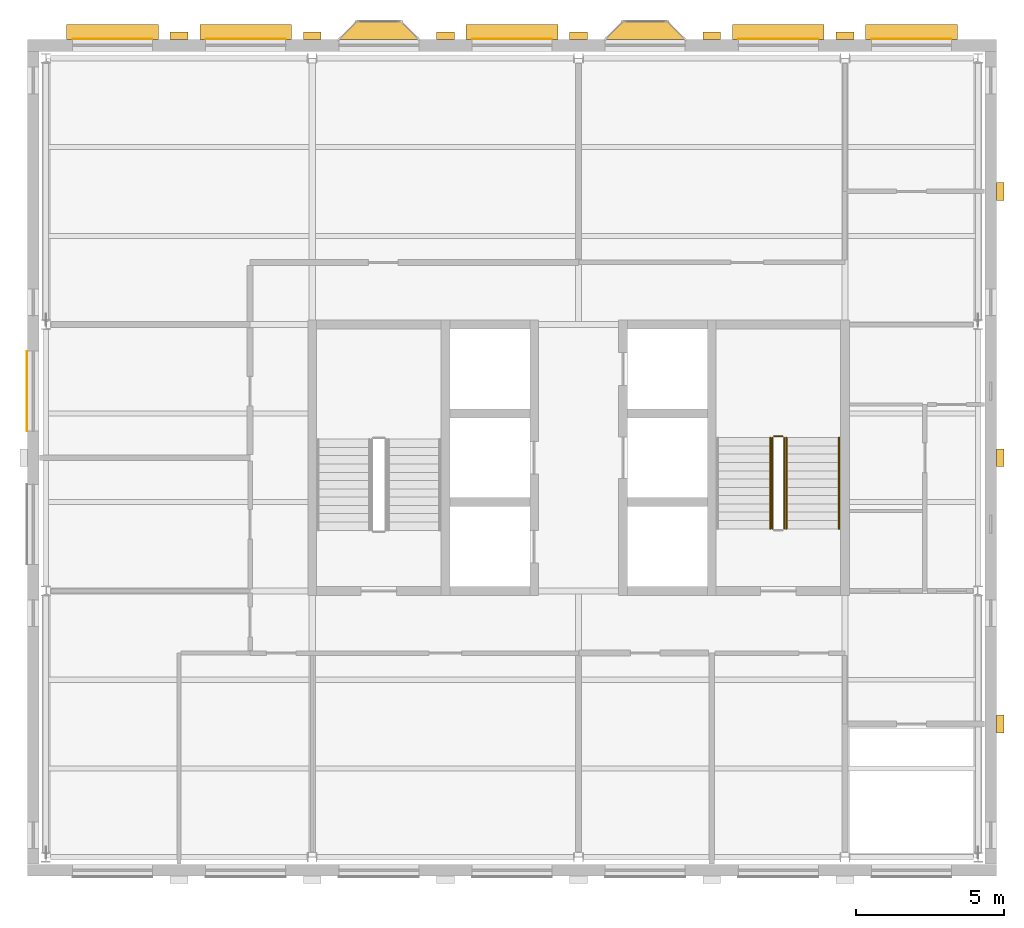
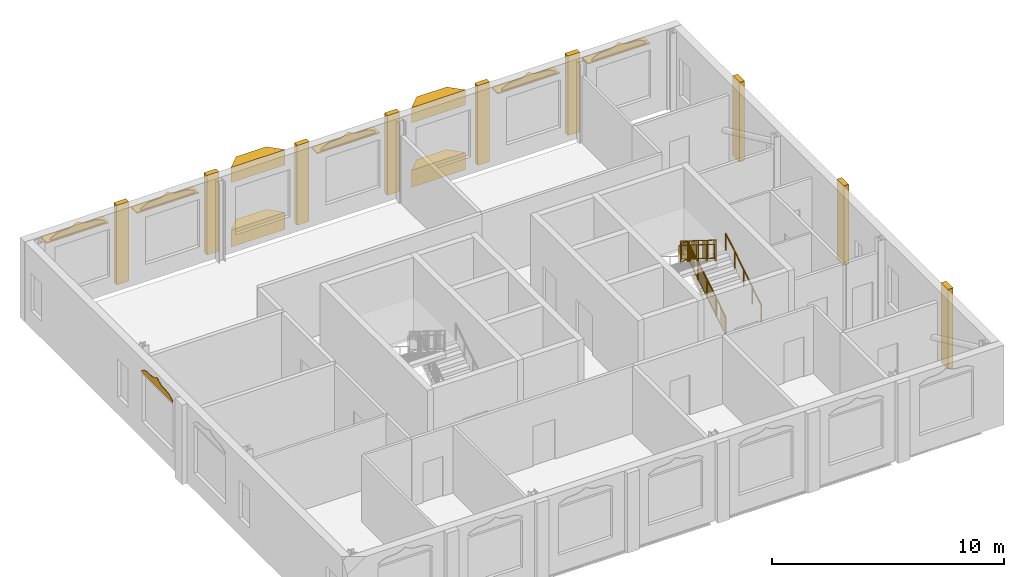
# One storey, part 9 of 9: 19 coverings, 6 railings, 5 shading devices.
"""IFC4 building model written with IfcOpenShell, lengths in metres."""

from ifc_helpers import new_model, si_unit, direction, frame, origin, origin_2d, place, context, subcontext, project, spatial, polyline, rectangle, circle, outline, extrude, material, layer, layer_set, type_object, element, save


model = new_model("IFC4")

# Units and contexts
model_context = context("Model", 3, precision=1e-05, world=origin(), true_north=direction((0.0, 1.0)))
body_context = subcontext(model_context, "Body", "Model", "MODEL_VIEW")
ifc_project = project(units=[si_unit("LENGTHUNIT", "METRE"), si_unit("AREAUNIT", "SQUARE_METRE"), si_unit("VOLUMEUNIT", "CUBIC_METRE"), si_unit("PLANEANGLEUNIT", "RADIAN"), si_unit("MASSUNIT", "GRAM", prefix="KILO")], contexts=[model_context])

# Site, building, storey
site_placement = place(None, origin())
site = spatial("IfcSite", under=ifc_project, at=site_placement, CompositionType="ELEMENT")
building_placement = place(site_placement, origin())
building = spatial("IfcBuilding", under=site, at=building_placement, Name="Hortulan Conservatory and Botanical Research Centre", CompositionType="ELEMENT")
storey_placement = place(building_placement, frame((0.0, 0.0, 44.39990234375)))
storey = spatial("IfcBuildingStorey", under=building, at=storey_placement, Name="L10", CompositionType="ELEMENT", Elevation=44.39990234375)

# Shading devices
ifc_material_1 = material(Name="Bronze-finished perforated aluminium", Category="aluminium")
ifc_layer_1 = layer(ifc_material_1, 0.06005859375)
ifc_layer_set_1 = layer_set([ifc_layer_1], Name="Catenary Hood 3100x500x60")
shading_device_type = type_object("IfcShadingDeviceType", Name="Catenary Hood 3100x500x60", PredefinedType="USERDEFINED", material=ifc_layer_set_1)
for number, where, z_axis, x_axis, name in (
    (1, (2.25, 27.885986328125, 3.41015625), (0.0, 0.0, 1.0), (1.0, 0.0, 0.0), "Catenary hood"),
    (2, (6.75, 27.885986328125, 3.41015625), (0.0, 0.0, 1.0), (1.0, 0.0, 0.0), "Catenary hood"),
    (3, (15.75, 27.885986328125, 3.41015625), (0.0, 0.0, 1.0), (1.0, 0.0, 0.0), "Catenary hood"),
    (4, (24.75, 27.885986328125, 3.41015625), (0.0, 0.0, 1.0), (1.0, 0.0, 0.0), "Catenary hood"),
    (5, (29.25, 27.885986328125, 3.41015625), (0.0, 0.0, 1.0), (1.0, 0.0, 0.0), "Catenary hood"),
):
    element("IfcShadingDevice", number, at=place(storey_placement, frame(where, z_axis=z_axis, x_axis=x_axis)), inside=storey, type_object=shading_device_type, Name=name, ObjectType="Catenary hood", PredefinedType="USERDEFINED", context=body_context, shape_type="SweptSolid", body=[
        extrude(rectangle(XDim=3.10009765625, YDim=0.5, at=origin_2d()), origin(), (0.0, 0.0, 1.0), 0.06005859375),
    ])

# Coverings
ifc_material_2 = material(Name="Faience cladding, cream glaze (non-combustible)", Category="ceramic")
ifc_layer_2 = layer(ifc_material_2, 0.030029296875)
ifc_layer_set_2 = layer_set([ifc_layer_2], Name="Faience Ogee Head Panel Cream 2700x500")
covering_type_1 = type_object("IfcCoveringType", Name="Faience Ogee Head Panel Cream 2700x500", PredefinedType="CLADDING", material=ifc_layer_set_2)
for number, where, z_axis, x_axis, name in (
    (6, (0.89990234375, 27.65087890625, 3.52001953125), (0.0, 0.0, 1.0), (1.0, 0.0, 0.0), "Ogee head panel"),
    (7, (23.39990234375, 27.65087890625, 3.52001953125), (0.0, 0.0, 1.0), (1.0, 0.0, 0.0), "Ogee head panel"),
    (8, (27.89990234375, 27.65087890625, 3.52001953125), (0.0, 0.0, 1.0), (1.0, 0.0, 0.0), "Ogee head panel"),
):
    element("IfcCovering", number, at=place(storey_placement, frame(where, z_axis=z_axis, x_axis=x_axis)), inside=storey, type_object=covering_type_1, Name=name, PredefinedType="CLADDING", context=body_context, shape_type="SweptSolid", body=[
        extrude(outline(polyline([(0.0, 0.0), (2.699951171875, 0.0), (2.699951171875, 0.080078125), (2.58740234375, 0.148681640625), (2.47509765625, 0.208251953125), (2.362548828125, 0.252197265625), (2.25, 0.2783203125), (2.137451171875, 0.28857421875), (2.02490234375, 0.2900390625), (1.91259765625, 0.29150390625), (1.800048828125, 0.3017578125), (1.6875, 0.327880859375), (1.574951171875, 0.371826171875), (1.46240234375, 0.431396484375), (1.35009765625, 0.5), (1.237548828125, 0.431396484375), (1.125, 0.371826171875), (1.012451171875, 0.327880859375), (0.89990234375, 0.3017578125), (0.78759765625, 0.29150390625), (0.675048828125, 0.2900390625), (0.5625, 0.28857421875), (0.449951171875, 0.2783203125), (0.33740234375, 0.252197265625), (0.22509765625, 0.208251953125), (0.112548828125, 0.148681640625), (0.0, 0.080078125), (0.0, 0.0)])), frame((0.0, 0.01513671875, 0.0), z_axis=(0.0, -1.0, 0.0), x_axis=(1.0, 0.0, 0.0)), (0.0, 0.0, 1.0), 0.030029296875),
    ])
ifc_material_3 = material(Name="Faience cladding, waratah crimson glaze (non-combustible)", Category="ceramic")
ifc_layer_3 = layer(ifc_material_3, 0.030029296875)
ifc_layer_set_3 = layer_set([ifc_layer_3], Name="Faience Ogee Head Panel Crimson 2700x500")
covering_type_2 = type_object("IfcCoveringType", Name="Faience Ogee Head Panel Crimson 2700x500", PredefinedType="CLADDING", material=ifc_layer_set_3)
covering_1_placement = place(storey_placement, frame((5.39990234375, 27.65087890625, 3.52001953125), z_axis=(0.0, 0.0, 1.0), x_axis=(1.0, 0.0, 0.0)))
element("IfcCovering", 9, at=covering_1_placement, inside=storey, type_object=covering_type_2, Name="Ogee head panel", PredefinedType="CLADDING", context=body_context, shape_type="SweptSolid", body=[
    extrude(outline(polyline([(0.0, 0.0), (2.699951171875, 0.0), (2.699951171875, 0.080078125), (2.58740234375, 0.148681640625), (2.47509765625, 0.208251953125), (2.362548828125, 0.252197265625), (2.25, 0.2783203125), (2.137451171875, 0.28857421875), (2.02490234375, 0.2900390625), (1.91259765625, 0.29150390625), (1.800048828125, 0.3017578125), (1.6875, 0.327880859375), (1.574951171875, 0.371826171875), (1.46240234375, 0.431396484375), (1.35009765625, 0.5), (1.237548828125, 0.431396484375), (1.125, 0.371826171875), (1.012451171875, 0.327880859375), (0.89990234375, 0.3017578125), (0.78759765625, 0.29150390625), (0.675048828125, 0.2900390625), (0.5625, 0.28857421875), (0.449951171875, 0.2783203125), (0.33740234375, 0.252197265625), (0.22509765625, 0.208251953125), (0.112548828125, 0.148681640625), (0.0, 0.080078125), (0.0, 0.0)])), frame((0.0, 0.01513671875, 0.0), z_axis=(0.0, -1.0, 0.0), x_axis=(1.0, 0.0, 0.0)), (0.0, 0.0, 1.0), 0.030029296875),
])
ifc_material_4 = material(Name="Faience cladding, harbour teal glaze (non-combustible)", Category="ceramic")
ifc_layer_4 = layer(ifc_material_4, 0.030029296875)
ifc_layer_set_4 = layer_set([ifc_layer_4], Name="Faience Ogee Head Panel Teal 2700x500")
covering_type_3 = type_object("IfcCoveringType", Name="Faience Ogee Head Panel Teal 2700x500", PredefinedType="CLADDING", material=ifc_layer_set_4)
for number, where, z_axis, x_axis, name in (
    (10, (-0.639892578125, 14.39990234375, 3.52001953125), (0.0, 0.0, 1.0), (0.0, 1.0, 0.0), "Ogee head panel"),
    (11, (14.39990234375, 27.65087890625, 3.52001953125), (0.0, 0.0, 1.0), (1.0, 0.0, 0.0), "Ogee head panel"),
):
    element("IfcCovering", number, at=place(storey_placement, frame(where, z_axis=z_axis, x_axis=x_axis)), inside=storey, type_object=covering_type_3, Name=name, PredefinedType="CLADDING", context=body_context, shape_type="SweptSolid", body=[
        extrude(outline(polyline([(0.0, 0.0), (2.699951171875, 0.0), (2.699951171875, 0.080078125), (2.58740234375, 0.148681640625), (2.47509765625, 0.208251953125), (2.362548828125, 0.252197265625), (2.25, 0.2783203125), (2.137451171875, 0.28857421875), (2.02490234375, 0.2900390625), (1.91259765625, 0.29150390625), (1.800048828125, 0.3017578125), (1.6875, 0.327880859375), (1.574951171875, 0.371826171875), (1.46240234375, 0.431396484375), (1.35009765625, 0.5), (1.237548828125, 0.431396484375), (1.125, 0.371826171875), (1.012451171875, 0.327880859375), (0.89990234375, 0.3017578125), (0.78759765625, 0.29150390625), (0.675048828125, 0.2900390625), (0.5625, 0.28857421875), (0.449951171875, 0.2783203125), (0.33740234375, 0.252197265625), (0.22509765625, 0.208251953125), (0.112548828125, 0.148681640625), (0.0, 0.080078125), (0.0, 0.0)])), frame((0.0, 0.01513671875, 0.0), z_axis=(0.0, -1.0, 0.0), x_axis=(1.0, 0.0, 0.0)), (0.0, 0.0, 1.0), 0.030029296875),
    ])
ifc_material_5 = material(Name="Faience-faced brickwork masonry", Category="masonry")
covering_type_4 = type_object("IfcCoveringType", Name="Faience Oriel Base", PredefinedType="CLADDING", material=ifc_material_5)
covering_2_placement = place(storey_placement, origin())
element("IfcCovering", 12, at=covering_2_placement, inside=storey, type_object=covering_type_4, Name="Oriel base", PredefinedType="CLADDING", context=body_context, shape_type="SweptSolid", body=[
    extrude(outline(polyline([(9.89990234375, 27.635986328125), (10.5, 28.236083984375), (12.0, 28.236083984375), (12.60009765625, 27.635986328125), (9.89990234375, 27.635986328125)])), origin(), (0.0, 0.0, 1.0), 0.900146484375),
])
covering_3_placement = place(storey_placement, origin())
element("IfcCovering", 13, at=covering_3_placement, inside=storey, type_object=covering_type_4, Name="Oriel base", PredefinedType="CLADDING", context=body_context, shape_type="SweptSolid", body=[
    extrude(outline(polyline([(18.89990234375, 27.635986328125), (19.5, 28.236083984375), (21.0, 28.236083984375), (21.60009765625, 27.635986328125), (18.89990234375, 27.635986328125)])), origin(), (0.0, 0.0, 1.0), 0.900146484375),
])
covering_type_5 = type_object("IfcCoveringType", Name="Faience Oriel Frieze", PredefinedType="CLADDING", material=ifc_material_5)
covering_4_placement = place(storey_placement, frame((0.0, 0.0, 3.400146484375)))
element("IfcCovering", 14, at=covering_4_placement, inside=storey, type_object=covering_type_5, Name="Oriel frieze", PredefinedType="CLADDING", context=body_context, shape_type="SweptSolid", body=[
    extrude(outline(polyline([(9.89990234375, 27.635986328125), (10.5, 28.236083984375), (12.0, 28.236083984375), (12.60009765625, 27.635986328125), (9.89990234375, 27.635986328125)])), origin(), (0.0, 0.0, 1.0), 0.800048828125),
])
covering_5_placement = place(storey_placement, frame((0.0, 0.0, 3.400146484375)))
element("IfcCovering", 15, at=covering_5_placement, inside=storey, type_object=covering_type_5, Name="Oriel frieze", PredefinedType="CLADDING", context=body_context, shape_type="SweptSolid", body=[
    extrude(outline(polyline([(18.89990234375, 27.635986328125), (19.5, 28.236083984375), (21.0, 28.236083984375), (21.60009765625, 27.635986328125), (18.89990234375, 27.635986328125)])), origin(), (0.0, 0.0, 1.0), 0.800048828125),
])
ifc_layer_5 = layer(ifc_material_2, 0.25)
ifc_layer_set_5 = layer_set([ifc_layer_5], Name="Faience Pilaster 600x250")
covering_type_6 = type_object("IfcCoveringType", Name="Faience Pilaster 600x250", PredefinedType="CLADDING", material=ifc_layer_set_5)
for number, where, z_axis, x_axis, name in (
    (16, (4.5, 27.760986328125, 0.0), (0.0, 0.0, 1.0), (1.0, 0.0, 0.0), "Pier"),
    (17, (9.0, 27.760986328125, 0.0), (0.0, 0.0, 1.0), (1.0, 0.0, 0.0), "Pier"),
    (18, (13.5, 27.760986328125, 0.0), (0.0, 0.0, 1.0), (1.0, 0.0, 0.0), "Pier"),
    (19, (18.0, 27.760986328125, 0.0), (0.0, 0.0, 1.0), (1.0, 0.0, 0.0), "Pier"),
    (20, (22.5, 27.760986328125, 0.0), (0.0, 0.0, 1.0), (1.0, 0.0, 0.0), "Pier"),
    (21, (27.0, 27.760986328125, 0.0), (0.0, 0.0, 1.0), (1.0, 0.0, 0.0), "Pier"),
    (22, (32.25, 4.5, 0.0), (0.0, 0.0, 1.0), (0.0, 1.0, 0.0), "Pier"),
    (23, (32.25, 13.5, 0.0), (0.0, 0.0, 1.0), (0.0, 1.0, 0.0), "Pier"),
    (24, (32.25, 22.5, 0.0), (0.0, 0.0, 1.0), (0.0, 1.0, 0.0), "Pier"),
):
    element("IfcCovering", number, at=place(storey_placement, frame(where, z_axis=z_axis, x_axis=x_axis)), inside=storey, type_object=covering_type_6, Name=name, PredefinedType="CLADDING", context=body_context, shape_type="SweptSolid", body=[
        extrude(rectangle(XDim=0.60009765625, YDim=0.25, at=origin_2d()), origin(), (0.0, 0.0, 1.0), 4.199951171875),
    ])

# Railings
ifc_material_6 = material(Name="Steel balustrade, bronze-charcoal paint", Category="steel")
railing_type_1 = type_object("IfcRailingType", Name="Stair Guard 1100", PredefinedType="GUARDRAIL", material=ifc_material_6)
railing_1_placement = place(storey_placement, frame((24.949951171875, 11.10009765625, 0.175048828125)))
element("IfcRailing", 25, at=railing_1_placement, inside=storey, type_object=railing_type_1, Name="Guard T2 L10 stair 1", PredefinedType="GUARDRAIL", context=body_context, shape_type="SweptSolid", body=[
    extrude(circle(Radius=0.02392578125, at=origin_2d()), frame((0.0, 0.0, 1.076171875), z_axis=(0.0, 0.847979421464, 0.530029150871), x_axis=(-1.0, 0.0, 0.0)), (0.0, 0.0, 1.0), 3.632080078125),
    extrude(circle(Radius=0.02392578125, at=origin_2d()), frame((0.0, 0.0, 0.1240234375), z_axis=(0.0, 0.847979421464, 0.530029150871), x_axis=(-1.0, 0.0, 0.0)), (0.0, 0.0, 1.0), 3.632080078125),
    extrude(circle(Radius=0.008056640625, at=origin_2d()), frame((0.0, 0.090576171875, 0.204833984375)), (0.0, 0.0, 1.0), 0.90380859375),
    extrude(circle(Radius=0.008056640625, at=origin_2d()), frame((0.0, 0.18115234375, 0.261474609375)), (0.0, 0.0, 1.0), 0.90380859375),
    extrude(circle(Radius=0.008056640625, at=origin_2d()), frame((0.0, 0.271728515625, 0.318115234375)), (0.0, 0.0, 1.0), 0.90380859375),
    extrude(circle(Radius=0.008056640625, at=origin_2d()), frame((0.0, 0.3623046875, 0.374755859375)), (0.0, 0.0, 1.0), 0.90380859375),
    extrude(circle(Radius=0.008056640625, at=origin_2d()), frame((0.0, 0.452880859375, 0.431396484375)), (0.0, 0.0, 1.0), 0.90380859375),
    extrude(circle(Radius=0.008056640625, at=origin_2d()), frame((0.0, 0.54345703125, 0.48779296875)), (0.0, 0.0, 1.0), 0.90380859375),
    extrude(circle(Radius=0.008056640625, at=origin_2d()), frame((0.0, 0.634033203125, 0.54443359375)), (0.0, 0.0, 1.0), 0.90380859375),
    extrude(circle(Radius=0.008056640625, at=origin_2d()), frame((0.0, 0.724609375, 0.60107421875)), (0.0, 0.0, 1.0), 0.90380859375),
    extrude(circle(Radius=0.008056640625, at=origin_2d()), frame((0.0, 0.815185546875, 0.65771484375)), (0.0, 0.0, 1.0), 0.90380859375),
    extrude(circle(Radius=0.008056640625, at=origin_2d()), frame((0.0, 0.90576171875, 0.71435546875)), (0.0, 0.0, 1.0), 0.90380859375),
    extrude(circle(Radius=0.008056640625, at=origin_2d()), frame((0.0, 0.996337890625, 0.77099609375)), (0.0, 0.0, 1.0), 0.90380859375),
    extrude(circle(Radius=0.008056640625, at=origin_2d()), frame((0.0, 1.0869140625, 0.82763671875)), (0.0, 0.0, 1.0), 0.90380859375),
    extrude(circle(Radius=0.008056640625, at=origin_2d()), frame((0.0, 1.177490234375, 0.88427734375)), (0.0, 0.0, 1.0), 0.90380859375),
    extrude(circle(Radius=0.008056640625, at=origin_2d()), frame((0.0, 1.26806640625, 0.94091796875)), (0.0, 0.0, 1.0), 0.90380859375),
    extrude(circle(Radius=0.008056640625, at=origin_2d()), frame((0.0, 1.358642578125, 0.99755859375)), (0.0, 0.0, 1.0), 0.90380859375),
    extrude(circle(Radius=0.008056640625, at=origin_2d()), frame((0.0, 1.44921875, 1.05419921875)), (0.0, 0.0, 1.0), 0.90380859375),
    extrude(circle(Radius=0.008056640625, at=origin_2d()), frame((0.0, 1.5400390625, 1.11083984375)), (0.0, 0.0, 1.0), 0.90380859375),
    extrude(circle(Radius=0.008056640625, at=origin_2d()), frame((0.0, 1.630615234375, 1.167236328125)), (0.0, 0.0, 1.0), 0.90380859375),
    extrude(circle(Radius=0.008056640625, at=origin_2d()), frame((0.0, 1.72119140625, 1.223876953125)), (0.0, 0.0, 1.0), 0.90380859375),
    extrude(circle(Radius=0.008056640625, at=origin_2d()), frame((0.0, 1.811767578125, 1.280517578125)), (0.0, 0.0, 1.0), 0.90380859375),
    extrude(circle(Radius=0.008056640625, at=origin_2d()), frame((0.0, 1.90234375, 1.337158203125)), (0.0, 0.0, 1.0), 0.90380859375),
    extrude(circle(Radius=0.008056640625, at=origin_2d()), frame((0.0, 1.992919921875, 1.393798828125)), (0.0, 0.0, 1.0), 0.90380859375),
    extrude(circle(Radius=0.008056640625, at=origin_2d()), frame((0.0, 2.08349609375, 1.450439453125)), (0.0, 0.0, 1.0), 0.90380859375),
    extrude(circle(Radius=0.008056640625, at=origin_2d()), frame((0.0, 2.174072265625, 1.507080078125)), (0.0, 0.0, 1.0), 0.90380859375),
    extrude(circle(Radius=0.008056640625, at=origin_2d()), frame((0.0, 2.2646484375, 1.563720703125)), (0.0, 0.0, 1.0), 0.90380859375),
    extrude(circle(Radius=0.008056640625, at=origin_2d()), frame((0.0, 2.355224609375, 1.620361328125)), (0.0, 0.0, 1.0), 0.90380859375),
    extrude(circle(Radius=0.008056640625, at=origin_2d()), frame((0.0, 2.44580078125, 1.677001953125)), (0.0, 0.0, 1.0), 0.90380859375),
    extrude(circle(Radius=0.008056640625, at=origin_2d()), frame((0.0, 2.536376953125, 1.733642578125)), (0.0, 0.0, 1.0), 0.90380859375),
    extrude(circle(Radius=0.008056640625, at=origin_2d()), frame((0.0, 2.626953125, 1.7900390625)), (0.0, 0.0, 1.0), 0.90380859375),
    extrude(circle(Radius=0.008056640625, at=origin_2d()), frame((0.0, 2.717529296875, 1.8466796875)), (0.0, 0.0, 1.0), 0.90380859375),
    extrude(circle(Radius=0.008056640625, at=origin_2d()), frame((0.0, 2.80810546875, 1.9033203125)), (0.0, 0.0, 1.0), 0.90380859375),
    extrude(circle(Radius=0.008056640625, at=origin_2d()), frame((0.0, 2.898681640625, 1.9599609375)), (0.0, 0.0, 1.0), 0.90380859375),
    extrude(circle(Radius=0.008056640625, at=origin_2d()), frame((0.0, 2.9892578125, 2.0166015625)), (0.0, 0.0, 1.0), 0.90380859375),
    extrude(circle(Radius=0.02099609375, at=origin_2d()), origin(), (0.0, 0.0, 1.0), 1.052001953125),
    extrude(circle(Radius=0.02099609375, at=origin_2d()), frame((0.0, 0.77001953125, 0.481201171875)), (0.0, 0.0, 1.0), 1.052001953125),
    extrude(circle(Radius=0.02099609375, at=origin_2d()), frame((0.0, 1.5400390625, 0.96240234375)), (0.0, 0.0, 1.0), 1.052001953125),
    extrude(circle(Radius=0.02099609375, at=origin_2d()), frame((0.0, 2.309814453125, 1.44384765625)), (0.0, 0.0, 1.0), 1.052001953125),
    extrude(circle(Radius=0.02099609375, at=origin_2d()), frame((0.0, 3.079833984375, 1.925048828125)), (0.0, 0.0, 1.0), 1.052001953125),
])
railing_2_placement = place(storey_placement, frame((24.89990234375, 14.22998046875, 2.10009765625)))
element("IfcRailing", 26, at=railing_2_placement, inside=storey, type_object=railing_type_1, Name="Guard T2 L10 stair 2", PredefinedType="GUARDRAIL", context=body_context, shape_type="SweptSolid", body=[
    extrude(circle(Radius=0.02392578125, at=origin_2d()), frame((0.0, 0.0, 1.076171875), z_axis=(-1.0, 0.0, 0.0), x_axis=(0.0, -1.0, 0.0)), (0.0, 0.0, 1.0), 0.2998046875),
    extrude(circle(Radius=0.02392578125, at=origin_2d()), frame((0.0, 0.0, 0.1240234375), z_axis=(-1.0, 0.0, 0.0), x_axis=(0.0, -1.0, 0.0)), (0.0, 0.0, 1.0), 0.2998046875),
    extrude(circle(Radius=0.008056640625, at=origin_2d()), frame((-0.099853515625, 0.0, 0.148193359375)), (0.0, 0.0, 1.0), 0.90380859375),
    extrude(circle(Radius=0.008056640625, at=origin_2d()), frame((-0.199951171875, 0.0, 0.148193359375)), (0.0, 0.0, 1.0), 0.90380859375),
    extrude(circle(Radius=0.02099609375, at=origin_2d()), origin(), (0.0, 0.0, 1.0), 1.052001953125),
    extrude(circle(Radius=0.02099609375, at=origin_2d()), frame((-0.2998046875, 0.0, 0.0)), (0.0, 0.0, 1.0), 1.052001953125),
])
railing_3_placement = place(storey_placement, frame((24.550048828125, 14.179931640625, 2.275146484375)))
element("IfcRailing", 27, at=railing_3_placement, inside=storey, type_object=railing_type_1, Name="Guard T2 L10 stair 3", PredefinedType="GUARDRAIL", context=body_context, shape_type="SweptSolid", body=[
    extrude(circle(Radius=0.02392578125, at=origin_2d()), frame((0.0, 0.0, 1.076171875), z_axis=(0.0, -0.847979421464, 0.530029150871), x_axis=(1.0, 0.0, 0.0)), (0.0, 0.0, 1.0), 3.632080078125),
    extrude(circle(Radius=0.02392578125, at=origin_2d()), frame((0.0, 0.0, 0.1240234375), z_axis=(0.0, -0.847979421464, 0.530029150871), x_axis=(1.0, 0.0, 0.0)), (0.0, 0.0, 1.0), 3.632080078125),
    extrude(circle(Radius=0.008056640625, at=origin_2d()), frame((0.0, -0.090576171875, 0.204833984375)), (0.0, 0.0, 1.0), 0.90380859375),
    extrude(circle(Radius=0.008056640625, at=origin_2d()), frame((0.0, -0.18115234375, 0.261474609375)), (0.0, 0.0, 1.0), 0.90380859375),
    extrude(circle(Radius=0.008056640625, at=origin_2d()), frame((0.0, -0.271728515625, 0.318115234375)), (0.0, 0.0, 1.0), 0.90380859375),
    extrude(circle(Radius=0.008056640625, at=origin_2d()), frame((0.0, -0.3623046875, 0.374755859375)), (0.0, 0.0, 1.0), 0.90380859375),
    extrude(circle(Radius=0.008056640625, at=origin_2d()), frame((0.0, -0.452880859375, 0.431396484375)), (0.0, 0.0, 1.0), 0.90380859375),
    extrude(circle(Radius=0.008056640625, at=origin_2d()), frame((0.0, -0.54345703125, 0.48779296875)), (0.0, 0.0, 1.0), 0.90380859375),
    extrude(circle(Radius=0.008056640625, at=origin_2d()), frame((0.0, -0.634033203125, 0.54443359375)), (0.0, 0.0, 1.0), 0.90380859375),
    extrude(circle(Radius=0.008056640625, at=origin_2d()), frame((0.0, -0.724609375, 0.60107421875)), (0.0, 0.0, 1.0), 0.90380859375),
    extrude(circle(Radius=0.008056640625, at=origin_2d()), frame((0.0, -0.815185546875, 0.65771484375)), (0.0, 0.0, 1.0), 0.90380859375),
    extrude(circle(Radius=0.008056640625, at=origin_2d()), frame((0.0, -0.90576171875, 0.71435546875)), (0.0, 0.0, 1.0), 0.90380859375),
    extrude(circle(Radius=0.008056640625, at=origin_2d()), frame((0.0, -0.996337890625, 0.77099609375)), (0.0, 0.0, 1.0), 0.90380859375),
    extrude(circle(Radius=0.008056640625, at=origin_2d()), frame((0.0, -1.0869140625, 0.82763671875)), (0.0, 0.0, 1.0), 0.90380859375),
    extrude(circle(Radius=0.008056640625, at=origin_2d()), frame((0.0, -1.177490234375, 0.88427734375)), (0.0, 0.0, 1.0), 0.90380859375),
    extrude(circle(Radius=0.008056640625, at=origin_2d()), frame((0.0, -1.26806640625, 0.94091796875)), (0.0, 0.0, 1.0), 0.90380859375),
    extrude(circle(Radius=0.008056640625, at=origin_2d()), frame((0.0, -1.358642578125, 0.99755859375)), (0.0, 0.0, 1.0), 0.90380859375),
    extrude(circle(Radius=0.008056640625, at=origin_2d()), frame((0.0, -1.44921875, 1.05419921875)), (0.0, 0.0, 1.0), 0.90380859375),
    extrude(circle(Radius=0.008056640625, at=origin_2d()), frame((0.0, -1.5400390625, 1.11083984375)), (0.0, 0.0, 1.0), 0.90380859375),
    extrude(circle(Radius=0.008056640625, at=origin_2d()), frame((0.0, -1.630615234375, 1.167236328125)), (0.0, 0.0, 1.0), 0.90380859375),
    extrude(circle(Radius=0.008056640625, at=origin_2d()), frame((0.0, -1.72119140625, 1.223876953125)), (0.0, 0.0, 1.0), 0.90380859375),
    extrude(circle(Radius=0.008056640625, at=origin_2d()), frame((0.0, -1.811767578125, 1.280517578125)), (0.0, 0.0, 1.0), 0.90380859375),
    extrude(circle(Radius=0.008056640625, at=origin_2d()), frame((0.0, -1.90234375, 1.337158203125)), (0.0, 0.0, 1.0), 0.90380859375),
    extrude(circle(Radius=0.008056640625, at=origin_2d()), frame((0.0, -1.992919921875, 1.393798828125)), (0.0, 0.0, 1.0), 0.90380859375),
    extrude(circle(Radius=0.008056640625, at=origin_2d()), frame((0.0, -2.08349609375, 1.450439453125)), (0.0, 0.0, 1.0), 0.90380859375),
    extrude(circle(Radius=0.008056640625, at=origin_2d()), frame((0.0, -2.174072265625, 1.507080078125)), (0.0, 0.0, 1.0), 0.90380859375),
    extrude(circle(Radius=0.008056640625, at=origin_2d()), frame((0.0, -2.2646484375, 1.563720703125)), (0.0, 0.0, 1.0), 0.90380859375),
    extrude(circle(Radius=0.008056640625, at=origin_2d()), frame((0.0, -2.355224609375, 1.620361328125)), (0.0, 0.0, 1.0), 0.90380859375),
    extrude(circle(Radius=0.008056640625, at=origin_2d()), frame((0.0, -2.44580078125, 1.677001953125)), (0.0, 0.0, 1.0), 0.90380859375),
    extrude(circle(Radius=0.008056640625, at=origin_2d()), frame((0.0, -2.536376953125, 1.733642578125)), (0.0, 0.0, 1.0), 0.90380859375),
    extrude(circle(Radius=0.008056640625, at=origin_2d()), frame((0.0, -2.626953125, 1.7900390625)), (0.0, 0.0, 1.0), 0.90380859375),
    extrude(circle(Radius=0.008056640625, at=origin_2d()), frame((0.0, -2.717529296875, 1.8466796875)), (0.0, 0.0, 1.0), 0.90380859375),
    extrude(circle(Radius=0.008056640625, at=origin_2d()), frame((0.0, -2.80810546875, 1.9033203125)), (0.0, 0.0, 1.0), 0.90380859375),
    extrude(circle(Radius=0.008056640625, at=origin_2d()), frame((0.0, -2.898681640625, 1.9599609375)), (0.0, 0.0, 1.0), 0.90380859375),
    extrude(circle(Radius=0.008056640625, at=origin_2d()), frame((0.0, -2.9892578125, 2.0166015625)), (0.0, 0.0, 1.0), 0.90380859375),
    extrude(circle(Radius=0.02099609375, at=origin_2d()), origin(), (0.0, 0.0, 1.0), 1.052001953125),
    extrude(circle(Radius=0.02099609375, at=origin_2d()), frame((0.0, -0.77001953125, 0.481201171875)), (0.0, 0.0, 1.0), 1.052001953125),
    extrude(circle(Radius=0.02099609375, at=origin_2d()), frame((0.0, -1.5400390625, 0.96240234375)), (0.0, 0.0, 1.0), 1.052001953125),
    extrude(circle(Radius=0.02099609375, at=origin_2d()), frame((0.0, -2.309814453125, 1.44384765625)), (0.0, 0.0, 1.0), 1.052001953125),
    extrude(circle(Radius=0.02099609375, at=origin_2d()), frame((0.0, -3.079833984375, 1.925048828125)), (0.0, 0.0, 1.0), 1.052001953125),
])
ifc_material_7 = material(Name="Bronze handrail, polished", Category="metal")
railing_type_2 = type_object("IfcRailingType", Name="Stair Handrail 900", PredefinedType="HANDRAIL", material=ifc_material_7)
for number, where, name in (
    (28, (26.800048828125, 11.10009765625, 0.175048828125), "Handrail T2 L10 stair 1"),
    (29, (25.02001953125, 11.10009765625, 0.175048828125), "Handrail T2 L10 stair 3"),
):
    element("IfcRailing", number, at=place(storey_placement, frame(where)), inside=storey, type_object=railing_type_2, Name=name, PredefinedType="HANDRAIL", context=body_context, shape_type="SweptSolid", body=[
        extrude(circle(Radius=0.02392578125, at=origin_2d()), frame((0.0, 0.0, 0.8759765625), z_axis=(0.0, 0.847979421464, 0.530029150871), x_axis=(-1.0, 0.0, 0.0)), (0.0, 0.0, 1.0), 3.632080078125),
        extrude(circle(Radius=0.02099609375, at=origin_2d()), origin(), (0.0, 0.0, 1.0), 0.851806640625),
        extrude(circle(Radius=0.02099609375, at=origin_2d()), frame((0.0, 0.77001953125, 0.481201171875)), (0.0, 0.0, 1.0), 0.851806640625),
        extrude(circle(Radius=0.02099609375, at=origin_2d()), frame((0.0, 1.5400390625, 0.96240234375)), (0.0, 0.0, 1.0), 0.851806640625),
        extrude(circle(Radius=0.02099609375, at=origin_2d()), frame((0.0, 2.309814453125, 1.44384765625)), (0.0, 0.0, 1.0), 0.851806640625),
        extrude(circle(Radius=0.02099609375, at=origin_2d()), frame((0.0, 3.079833984375, 1.925048828125)), (0.0, 0.0, 1.0), 0.851806640625),
    ])
railing_4_placement = place(storey_placement, frame((24.47998046875, 14.179931640625, 2.275146484375)))
element("IfcRailing", 30, at=railing_4_placement, inside=storey, type_object=railing_type_2, Name="Handrail T2 L10 stair 4", PredefinedType="HANDRAIL", context=body_context, shape_type="SweptSolid", body=[
    extrude(circle(Radius=0.02392578125, at=origin_2d()), frame((0.0, 0.0, 0.8759765625), z_axis=(0.0, -0.847979421464, 0.530029150871), x_axis=(1.0, 0.0, 0.0)), (0.0, 0.0, 1.0), 3.632080078125),
    extrude(circle(Radius=0.02099609375, at=origin_2d()), origin(), (0.0, 0.0, 1.0), 0.851806640625),
    extrude(circle(Radius=0.02099609375, at=origin_2d()), frame((0.0, -0.77001953125, 0.481201171875)), (0.0, 0.0, 1.0), 0.851806640625),
    extrude(circle(Radius=0.02099609375, at=origin_2d()), frame((0.0, -1.5400390625, 0.96240234375)), (0.0, 0.0, 1.0), 0.851806640625),
    extrude(circle(Radius=0.02099609375, at=origin_2d()), frame((0.0, -2.309814453125, 1.44384765625)), (0.0, 0.0, 1.0), 0.851806640625),
    extrude(circle(Radius=0.02099609375, at=origin_2d()), frame((0.0, -3.079833984375, 1.925048828125)), (0.0, 0.0, 1.0), 0.851806640625),
])

save(model, "model.ifc")
